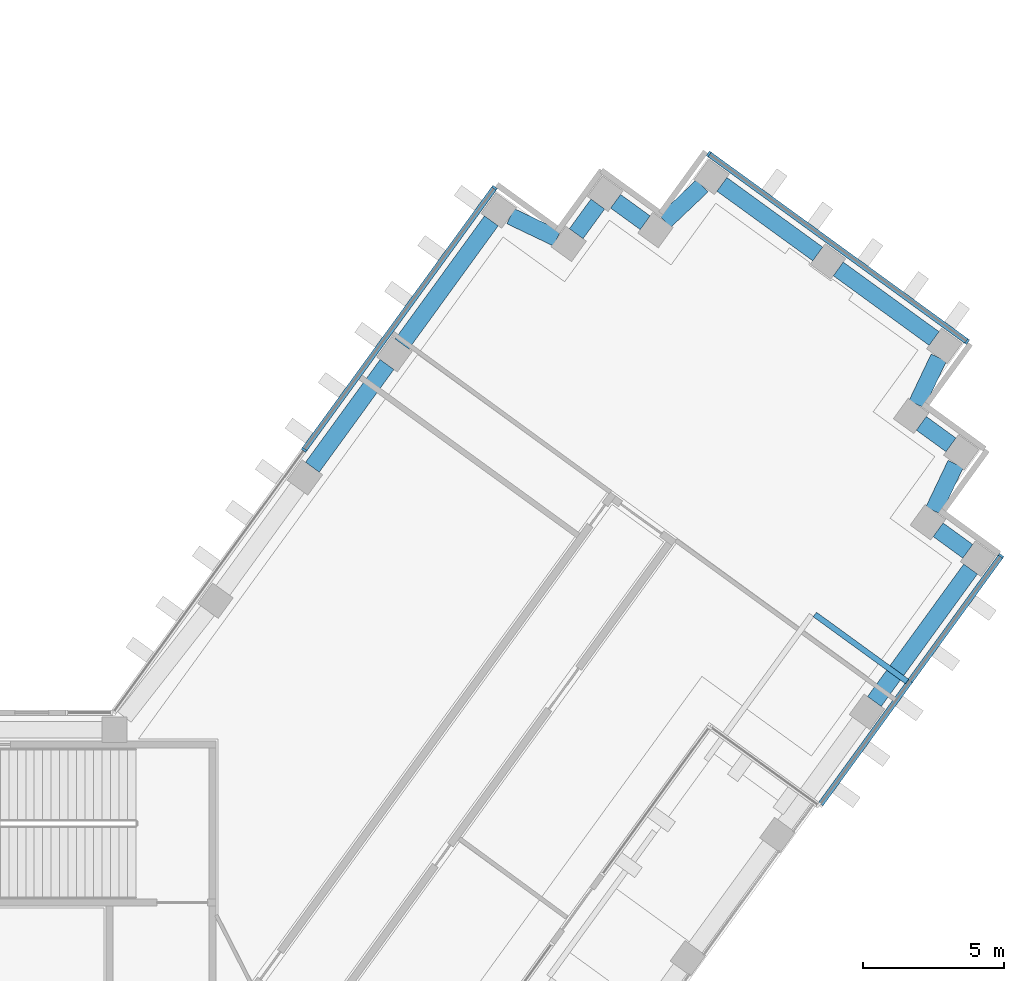
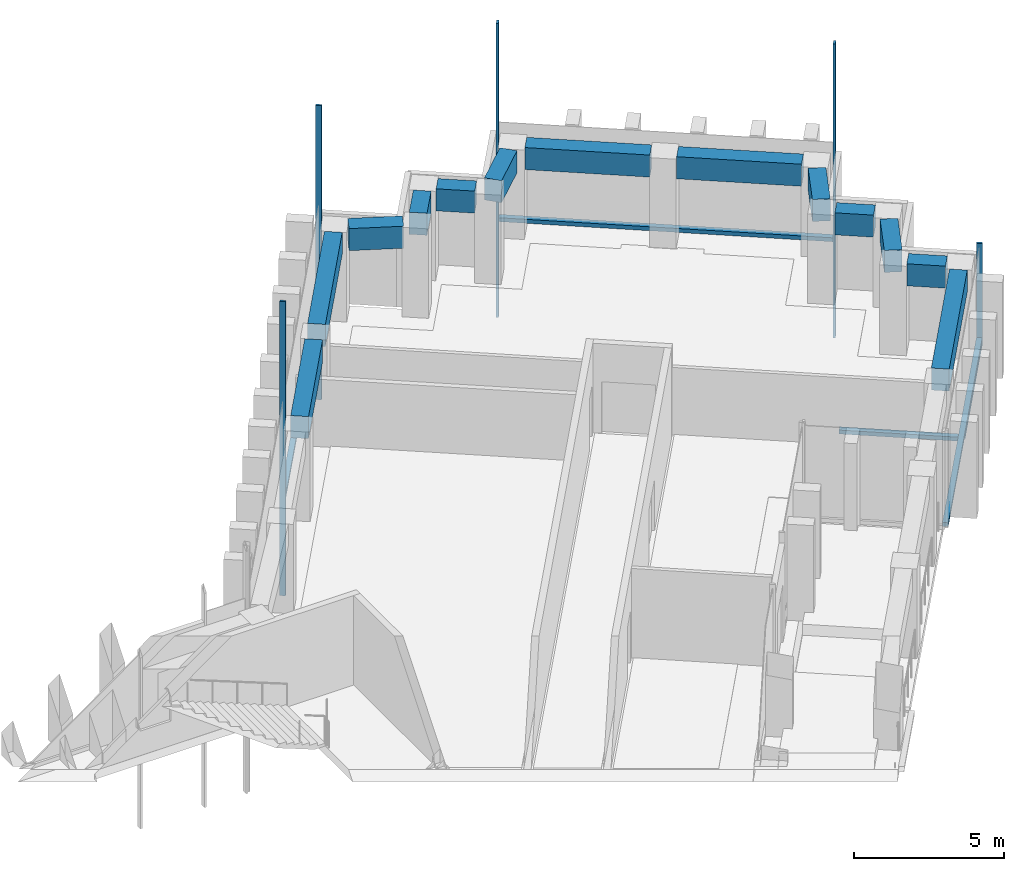
"""IFC4 building model written with IfcOpenShell, lengths in metres."""

import ifcopenshell
import ifcopenshell.guid

model = None  # the IFC model being written
_history = None  # IfcOwnerHistory: only IFC2X3 demands one
_inside = {}  # id of a spatial element -> (the spatial element, [elements in it])
_under = {}  # id of a project, library or spatial element -> (it, [spatial elements below it])
_declared = {}  # id of a project -> (the project, [libraries it declares])
_typed = {}  # id of a type object -> (the type object, [elements of that type])
_made_of = {}  # id of a material, layer set ... -> (it, [elements and type objects made of it])


def new_model(schema):
    """Start an empty IFC model of exactly this schema.

    Asked for "IFC4X3", IfcOpenShell would pick the latest addendum, in which some entities
    have other attributes; the version numbers below select the first issue.
    IFC2X3 requires an IfcOwnerHistory on every rooted entity: one is made here for all.
    """
    global model, _history
    if schema == "IFC4X3":
        model = ifcopenshell.file(schema_version=(4, 3, 0, 0))
    else:
        model = ifcopenshell.file(schema=schema)
    _inside.clear()
    _under.clear()
    _declared.clear()
    _typed.clear()
    _made_of.clear()
    _history = None
    if model.schema == "IFC2X3":
        org = make("IfcOrganization", Name="unknown")
        user = make(
            "IfcPersonAndOrganization",
            ThePerson=make("IfcPerson", FamilyName="unknown"),
            TheOrganization=org,
        )
        app = make(
            "IfcApplication",
            ApplicationDeveloper=org,
            Version="unknown",
            ApplicationFullName="unknown",
            ApplicationIdentifier="unknown",
        )
        _history = make(
            "IfcOwnerHistory",
            OwningUser=user,
            OwningApplication=app,
            ChangeAction="ADDED",
            CreationDate=0,
        )
    return model


def make(cls, **values):
    """One entity of the class cls with the attributes given. An attribute that is None is left unset."""
    return model.create_entity(
        cls, **{name: value for name, value in values.items() if value is not None}
    )


def rooted(cls, **values):
    """An entity with a GlobalId (a new one), such as an element, a storey or a relation."""
    return make(cls, GlobalId=ifcopenshell.guid.new(), OwnerHistory=_history, **values)


def si_unit(unit_type, name, prefix=None):
    """IfcSIUnit, for example si_unit("LENGTHUNIT", "METRE", prefix="MILLI")."""
    return make("IfcSIUnit", UnitType=unit_type, Prefix=prefix, Name=name)


def assignment(units):
    """IfcUnitAssignment: the units of a project."""
    return None if units is None else make("IfcUnitAssignment", Units=units)


def point(xyz):
    """IfcCartesianPoint."""
    return None if xyz is None else make("IfcCartesianPoint", Coordinates=xyz)


def direction(xyz):
    """IfcDirection."""
    return None if xyz is None else make("IfcDirection", DirectionRatios=xyz)


def frame(location, z_axis=None, x_axis=None):
    """IfcAxis2Placement3D, a coordinate frame: its origin and axes. An axis left out is left unset."""
    return make(
        "IfcAxis2Placement3D",
        Location=point(location),
        Axis=direction(z_axis),
        RefDirection=direction(x_axis),
    )


def frame_2d(location, x_axis=None):
    """IfcAxis2Placement2D, a coordinate frame in the plane: its origin and x axis."""
    return make(
        "IfcAxis2Placement2D", Location=point(location), RefDirection=direction(x_axis)
    )


def origin():
    """The frame at (0, 0, 0) with its axes left unset."""
    return frame((0.0, 0.0, 0.0))


def origin_2d():
    """The frame at (0, 0) in the plane with its x axis left unset."""
    return frame_2d((0.0, 0.0))


def place(relative_to, where):
    """IfcLocalPlacement: puts the frame where relative to a parent placement (None: the world)."""
    return make(
        "IfcLocalPlacement", PlacementRelTo=relative_to, RelativePlacement=where
    )


def context(
    kind, dimensions, precision=None, world=None, true_north=None, identifier=None
):
    """IfcGeometricRepresentationContext, for example the 3D "Model" context."""
    return make(
        "IfcGeometricRepresentationContext",
        ContextIdentifier=identifier,
        ContextType=kind,
        CoordinateSpaceDimension=dimensions,
        Precision=precision,
        WorldCoordinateSystem=world,
        TrueNorth=true_north,
    )


def subcontext(parent, identifier, kind, view, scale=None):
    """IfcGeometricRepresentationSubContext, for example "Body" below "Model"."""
    return make(
        "IfcGeometricRepresentationSubContext",
        ContextIdentifier=identifier,
        ContextType=kind,
        ParentContext=parent,
        TargetScale=scale,
        TargetView=view,
    )


def project(units=None, contexts=None):
    """IfcProject with its units and contexts."""
    return rooted(
        "IfcProject",
        Name="project",
        RepresentationContexts=contexts,
        UnitsInContext=assignment(units),
    )


def spatial(cls, under=None, at=None, **own):
    """A site, building, storey or space (cls), placed at a placement, below another one or the project."""
    s = rooted(cls, ObjectPlacement=at, **own)
    if under is not None:
        _under.setdefault(under.id(), (under, []))[1].append(s)
    return s


def profile(cls, at=None, kind="AREA", **sizes):
    """A parametric profile (cls). Its sizes go by their IFC names, for example OverallWidth=200.0."""
    return make(cls, ProfileType=kind, Position=at, **sizes)


def rectangle(**sizes):
    """IfcRectangleProfileDef."""
    return profile("IfcRectangleProfileDef", **sizes)


def extrude(swept, where, along, depth):
    """IfcExtrudedAreaSolid: the profile swept, set in the frame where, extruded along a direction by depth."""
    return make(
        "IfcExtrudedAreaSolid",
        SweptArea=swept,
        Position=where,
        ExtrudedDirection=direction(along),
        Depth=depth,
    )


def shape(context_of_items, identifier, shape_type, items):
    """IfcShapeRepresentation: the items that make up one representation, for example the "Body"."""
    return make(
        "IfcShapeRepresentation",
        ContextOfItems=context_of_items,
        RepresentationIdentifier=identifier,
        RepresentationType=shape_type,
        Items=items,
    )


def material(Name=None, Category=None):
    """IfcMaterial."""
    return make("IfcMaterial", Name=Name, Category=Category)


def material_profile(
    of_material, cross_section, Name=None, Category=None, Priority=None
):
    """IfcMaterialProfile: a cross section and its material."""
    return make(
        "IfcMaterialProfile",
        Name=Name,
        Material=of_material,
        Profile=cross_section,
        Priority=Priority,
        Category=Category,
    )


def profile_set(profiles, Name=None, composite=None):
    """IfcMaterialProfileSet."""
    return make(
        "IfcMaterialProfileSet",
        Name=Name,
        MaterialProfiles=profiles,
        CompositeProfile=composite,
    )


def made_of(thing, what):
    """Note that an element or type object is made of a material, layer set ...; save() writes the relation."""
    if what is not None:
        _made_of.setdefault(what.id(), (what, []))[1].append(thing)
    return thing


def type_object(cls, material=None, **own):
    """A type object (cls), such as IfcWallType, which elements share."""
    return made_of(rooted(cls, **own), material)


def element(
    cls,
    number,
    at=None,
    inside=None,
    cuts=None,
    type_object=None,
    material=None,
    context=None,
    identifier="Body",
    shape_type=None,
    held_by="IfcProductDefinitionShape",
    body=None,
    shapes=None,
    **own,
):
    """One element of the class cls, such as IfcWall. Its Tag is "e" and its number.

    at: its placement. inside: the storey or other place that contains it. cuts: it is an
    opening in that element (IfcRelVoidsElement). A single representation is given by context,
    identifier, shape_type and body (its items); several are given by shapes. held_by: the class
    of the entity that holds the representations. save() writes the other relations.
    """
    e = rooted(cls, Tag="e%d" % number, ObjectPlacement=at, **own)
    if body is not None:
        shapes = [shape(context, identifier, shape_type, body)]
    if shapes is not None:
        e.Representation = make(held_by, Representations=shapes)
    if inside is not None:
        _inside.setdefault(inside.id(), (inside, []))[1].append(e)
    if cuts is not None:
        rooted(
            "IfcRelVoidsElement", RelatingBuildingElement=cuts, RelatedOpeningElement=e
        )
    if type_object is not None:
        _typed.setdefault(type_object.id(), (type_object, []))[1].append(e)
    return made_of(e, material)


def aggregate(whole, parts):
    """IfcRelAggregates: a whole, such as a stair, and the parts it consists of."""
    return rooted("IfcRelAggregates", RelatingObject=whole, RelatedObjects=parts)


def save(model, path):
    """Write the relations noted so far, then the file.

    IfcRelAggregates (storeys below a building ...), IfcRelContainedInSpatialStructure (elements
    in a storey), IfcRelDefinesByType, IfcRelAssociatesMaterial and IfcRelDeclares: one each for
    every whole, place, type object, material and project.
    """
    for whole, parts in _under.values():
        aggregate(whole, parts)
    for where, things in _inside.values():
        rooted(
            "IfcRelContainedInSpatialStructure",
            RelatedElements=things,
            RelatingStructure=where,
        )
    for kind, things in _typed.values():
        rooted("IfcRelDefinesByType", RelatedObjects=things, RelatingType=kind)
    for what, things in _made_of.values():
        rooted("IfcRelAssociatesMaterial", RelatedObjects=things, RelatingMaterial=what)
    for by, libraries in _declared.values():
        rooted("IfcRelDeclares", RelatingContext=by, RelatedDefinitions=libraries)
    model.write(path)


model = new_model("IFC4")

# Units and contexts
model_context = context("Model", 3, precision=1e-05, world=origin(), true_north=direction((0.0, 1.0)))
body_context = subcontext(model_context, "Body", "Model", "MODEL_VIEW")
ifc_project = project(units=[si_unit("LENGTHUNIT", "METRE"), si_unit("AREAUNIT", "SQUARE_METRE"), si_unit("VOLUMEUNIT", "CUBIC_METRE"), si_unit("PLANEANGLEUNIT", "RADIAN"), si_unit("MASSUNIT", "GRAM", prefix="KILO")], contexts=[model_context])

# Site, building, storey
site_placement = place(None, origin())
site = spatial("IfcSite", under=ifc_project, at=site_placement, CompositionType="ELEMENT")
building_placement = place(site_placement, origin())
building = spatial("IfcBuilding", under=site, at=building_placement, Name="Quipu Civic Tower", CompositionType="ELEMENT")
storey_1_placement = place(building_placement, frame((0.0, 0.0, 101.0)))
storey_1 = spatial("IfcBuildingStorey", under=building, at=storey_1_placement, Name="L23", CompositionType="ELEMENT", Elevation=101.0)

# Curtain wall, member
ifc_material_1 = material(Name="Insulated glass unit", Category="glass")
curtain_wall_type = type_object("IfcCurtainWallType", Name="Office curtain wall CW1", PredefinedType="NOTDEFINED", material=ifc_material_1)
curtain_wall_1_placement = place(storey_1_placement, origin())
curtain_wall_1 = element("IfcCurtainWall", 1, at=curtain_wall_1_placement, inside=storey_1, type_object=curtain_wall_type, Name="Office curtain wall CW1 L23 run 7", PredefinedType="NOTDEFINED")
ifc_material_2 = material(Name="Anodised aluminium", Category="aluminium")
ifc_material_profile_1 = material_profile(ifc_material_2, rectangle(XDim=0.199951171875, YDim=0.080078125, at=origin_2d()), Name="RECT 200x80")
ifc_profile_set_1 = profile_set([ifc_material_profile_1], Name="Anodised aluminium")
member_type_1 = type_object("IfcMemberType", Name="Mullion CW1", PredefinedType="MULLION", material=ifc_profile_set_1)
member_1_placement = place(storey_1_placement, frame((45.825927734375, 16.661865234375, 0.080078125), z_axis=(0.0, 0.0, 1.0), x_axis=(-0.809015896796, 0.587786762977, 0.0)))
member_1 = element("IfcMember", 2, at=member_1_placement, type_object=member_type_1, Name="CW1 mullion 2", PredefinedType="MULLION", context=body_context, shape_type="SweptSolid", body=[
    extrude(rectangle(XDim=0.199951171875, YDim=0.080078125, at=origin_2d()), origin(), (0.0, 0.0, 1.0), 4.0),
])

# Curtain wall, members
curtain_wall_2_placement = place(storey_1_placement, origin())
curtain_wall_2 = element("IfcCurtainWall", 3, at=curtain_wall_2_placement, inside=storey_1, type_object=curtain_wall_type, Name="Office curtain wall CW1 L22 run 31", PredefinedType="NOTDEFINED")
member_2_placement = place(storey_1_placement, frame((44.62255859375, 24.260498046875, -3.919921875), z_axis=(0.0, 0.0, 1.0), x_axis=(-0.587787753918, -0.809015176832, 0.0)))
member_2 = element("IfcMember", 4, at=member_2_placement, type_object=member_type_1, Name="CW1 mullion 1", PredefinedType="MULLION", context=body_context, shape_type="SweptSolid", body=[
    extrude(rectangle(XDim=0.199951171875, YDim=0.080078125, at=origin_2d()), origin(), (0.0, 0.0, 1.0), 12.0),
])
member_3_placement = place(storey_1_placement, frame((35.46435546875, 30.914306640625, -3.919921875), z_axis=(0.0, 0.0, 1.0), x_axis=(-0.587787753918, -0.809015176832, 0.0)))
member_3 = element("IfcMember", 5, at=member_3_placement, type_object=member_type_1, Name="CW1 mullion 2", PredefinedType="MULLION", context=body_context, shape_type="SweptSolid", body=[
    extrude(rectangle(XDim=0.199951171875, YDim=0.080078125, at=origin_2d()), origin(), (0.0, 0.0, 1.0), 12.0),
])

curtain_wall_3_placement = place(storey_1_placement, origin())
curtain_wall_3 = element("IfcCurtainWall", 6, at=curtain_wall_3_placement, inside=storey_1, type_object=curtain_wall_type, Name="Office curtain wall CW1 L22 run 36", PredefinedType="NOTDEFINED")
member_4_placement = place(storey_1_placement, frame((27.865966796875, 29.7109375, -3.919921875), z_axis=(0.0, 0.0, 1.0), x_axis=(0.809014469803, -0.587788727052, 0.0)))
member_4 = element("IfcMember", 7, at=member_4_placement, type_object=member_type_1, Name="CW1 mullion 1", PredefinedType="MULLION", context=body_context, shape_type="SweptSolid", body=[
    extrude(rectangle(XDim=0.199951171875, YDim=0.080078125, at=origin_2d()), origin(), (0.0, 0.0, 1.0), 12.0),
])
member_5_placement = place(storey_1_placement, frame((21.11669921875, 20.421630859375, -3.919921875), z_axis=(0.0, 0.0, 1.0), x_axis=(0.809014469803, -0.587788727052, 0.0)))
member_5 = element("IfcMember", 8, at=member_5_placement, type_object=member_type_1, Name="CW1 mullion 2", PredefinedType="MULLION", context=body_context, shape_type="SweptSolid", body=[
    extrude(rectangle(XDim=0.199951171875, YDim=0.080078125, at=origin_2d()), origin(), (0.0, 0.0, 1.0), 12.0),
])

# Beams
ifc_material_3 = material(Name="Concrete C50/60", Category="concrete")
ifc_material_profile_2 = material_profile(ifc_material_3, rectangle(XDim=0.60009765625, YDim=0.89990234375, at=origin_2d()), Name="RC600x900")
ifc_profile_set_2 = profile_set([ifc_material_profile_2], Name="Concrete C50/60")
beam_type = type_object("IfcBeamType", Name="Spandrel beam RC 600x900 C50/60", PredefinedType="SPANDREL", material=ifc_profile_set_2)
beam_1_placement = place(storey_1_placement, frame((41.3349609375, 11.50146484375, 3.199951171875), z_axis=(0.587766353983, 0.809030724463, 0.0), x_axis=(-0.809030724463, 0.587766353983, 0.0)))
element("IfcBeam", 9, at=beam_1_placement, inside=storey_1, type_object=beam_type, Name="Spandrel beam L23 E-OUT-04 to T-Eo.0-E34", PredefinedType="SPANDREL", context=body_context, shape_type="SweptSolid", body=[
    extrude(rectangle(XDim=0.60009765625, YDim=0.89990234375, at=origin_2d()), origin(), (0.0, 0.0, 1.0), 5.802734375),
])
beam_2_placement = place(storey_1_placement, frame((44.646240234375, 16.82470703125, 3.199951171875), z_axis=(-0.808524921146, 0.588461937499, 0.0), x_axis=(-0.588461937499, -0.808524921146, 0.0)))
element("IfcBeam", 10, at=beam_2_placement, inside=storey_1, type_object=beam_type, Name="Spandrel beam L23 T-Eo.0-E34 to T-Eo.1-E34", PredefinedType="SPANDREL", context=body_context, shape_type="SweptSolid", body=[
    extrude(rectangle(XDim=0.60009765625, YDim=0.89990234375, at=origin_2d()), origin(), (0.0, 0.0, 1.0), 1.30029296875),
])
beam_3_placement = place(storey_1_placement, frame((43.42822265625, 18.267578125, 3.199951171875), z_axis=(0.430677818234, 0.902505743406, 0.0), x_axis=(-0.902505743406, 0.430677818234, 0.0)))
element("IfcBeam", 11, at=beam_3_placement, inside=storey_1, type_object=beam_type, Name="Spandrel beam L23 T-Eo.1-E34 to T-Eo.2-E34", PredefinedType="SPANDREL", context=body_context, shape_type="SweptSolid", body=[
    extrude(rectangle(XDim=0.60009765625, YDim=0.89990234375, at=origin_2d()), origin(), (0.0, 0.0, 1.0), 1.833251953125),
])
beam_4_placement = place(storey_1_placement, frame((44.05078125, 20.59912109375, 3.199951171875), z_axis=(-0.809393823939, 0.587266240959, 0.0), x_axis=(-0.587266240959, -0.809393823939, 0.0)))
element("IfcBeam", 12, at=beam_4_placement, inside=storey_1, type_object=beam_type, Name="Spandrel beam L23 T-Eo.2-E34 to T-Eo.3-E34", PredefinedType="SPANDREL", context=body_context, shape_type="SweptSolid", body=[
    extrude(rectangle(XDim=0.60009765625, YDim=0.89990234375, at=origin_2d()), origin(), (0.0, 0.0, 1.0), 1.299072265625),
])
beam_5_placement = place(storey_1_placement, frame((42.83154296875, 22.03955078125, 3.199951171875), z_axis=(0.429892146977, 0.902880247856, 0.0), x_axis=(-0.902880247856, 0.429892146977, 0.0)))
element("IfcBeam", 13, at=beam_5_placement, inside=storey_1, type_object=beam_type, Name="Spandrel beam L23 T-Eo.3-E34 to T-Eo.4-E34", PredefinedType="SPANDREL", context=body_context, shape_type="SweptSolid", body=[
    extrude(rectangle(XDim=0.60009765625, YDim=0.89990234375, at=origin_2d()), origin(), (0.0, 0.0, 1.0), 1.829833984375),
])
beam_6_placement = place(storey_1_placement, frame((43.450927734375, 24.36962890625, 3.199951171875), z_axis=(-0.808987489375, 0.587825860298, 0.0), x_axis=(-0.587825860298, -0.808987489375, 0.0)))
element("IfcBeam", 14, at=beam_6_placement, inside=storey_1, type_object=beam_type, Name="Spandrel beam L23 T-Eo.4-E34 to TIP-E-01-E34", PredefinedType="SPANDREL", context=body_context, shape_type="SweptSolid", body=[
    extrude(rectangle(XDim=0.60009765625, YDim=0.89990234375, at=origin_2d()), origin(), (0.0, 0.0, 1.0), 4.1982421875),
])
beam_7_placement = place(storey_1_placement, frame((39.32666015625, 27.366455078125, 3.199951171875), z_axis=(-0.808969789945, 0.58785021813, 0.0), x_axis=(-0.58785021813, -0.808969789945, 0.0)))
element("IfcBeam", 15, at=beam_7_placement, inside=storey_1, type_object=beam_type, Name="Spandrel beam L23 TIP-E-01-E34 to T-Ei.0-E34", PredefinedType="SPANDREL", context=body_context, shape_type="SweptSolid", body=[
    extrude(rectangle(XDim=0.60009765625, YDim=0.89990234375, at=origin_2d()), origin(), (0.0, 0.0, 1.0), 4.199951171875),
])
beam_8_placement = place(storey_1_placement, frame((35.233154296875, 29.784912109375, 3.199951171875), z_axis=(-0.725209203815, -0.688528583795, 0.0), x_axis=(0.688528583795, -0.725209203815, 0.0)))
element("IfcBeam", 16, at=beam_8_placement, inside=storey_1, type_object=beam_type, Name="Spandrel beam L23 T-Ei.0-E34 to T-Ei.1-E34", PredefinedType="SPANDREL", context=body_context, shape_type="SweptSolid", body=[
    extrude(rectangle(XDim=0.60009765625, YDim=0.89990234375, at=origin_2d()), origin(), (0.0, 0.0, 1.0), 1.830322265625),
])
beam_9_placement = place(storey_1_placement, frame((33.209716796875, 28.4736328125, 3.199951171875), z_axis=(-0.809402563526, 0.587254195521, 0.0), x_axis=(-0.587254195521, -0.809402563526, 0.0)))
element("IfcBeam", 17, at=beam_9_placement, inside=storey_1, type_object=beam_type, Name="Spandrel beam L23 T-Ei.1-E34 to T-Ei.2-E34", PredefinedType="SPANDREL", context=body_context, shape_type="SweptSolid", body=[
    extrude(rectangle(XDim=0.60009765625, YDim=0.89990234375, at=origin_2d()), origin(), (0.0, 0.0, 1.0), 1.2978515625),
])
beam_10_placement = place(storey_1_placement, frame((31.52978515625, 29.136474609375, 3.199951171875), z_axis=(-0.589187485143, -0.80799635355, 0.0), x_axis=(0.80799635355, -0.589187485143, 0.0)))
element("IfcBeam", 18, at=beam_10_placement, inside=storey_1, type_object=beam_type, Name="Spandrel beam L23 T-Ei.2-E34 to T-Ei.3-E34", PredefinedType="SPANDREL", context=body_context, shape_type="SweptSolid", body=[
    extrude(rectangle(XDim=0.60009765625, YDim=0.89990234375, at=origin_2d()), origin(), (0.0, 0.0, 1.0), 1.2998046875),
])
beam_11_placement = place(storey_1_placement, frame((30.085693359375, 27.919677734375, 3.199951171875), z_axis=(-0.902567013751, 0.430549399823, 0.0), x_axis=(-0.430549399823, -0.902567013751, 0.0)))
element("IfcBeam", 19, at=beam_11_placement, inside=storey_1, type_object=beam_type, Name="Spandrel beam L23 T-Ei.3-E34 to T-Ei.4-E34", PredefinedType="SPANDREL", context=body_context, shape_type="SweptSolid", body=[
    extrude(rectangle(XDim=0.60009765625, YDim=0.89990234375, at=origin_2d()), origin(), (0.0, 0.0, 1.0), 1.8310546875),
])
beam_12_placement = place(storey_1_placement, frame((27.755615234375, 28.541015625, 3.199951171875), z_axis=(-0.58767640123, -0.809096068114, 0.0), x_axis=(0.809096068114, -0.58767640123, 0.0)))
element("IfcBeam", 20, at=beam_12_placement, inside=storey_1, type_object=beam_type, Name="Spandrel beam L23 T-Ei.4-E34 to E-IN-03", PredefinedType="SPANDREL", context=body_context, shape_type="SweptSolid", body=[
    extrude(rectangle(XDim=0.60009765625, YDim=0.89990234375, at=origin_2d()), origin(), (0.0, 0.0, 1.0), 5.39404296875),
])
beam_13_placement = place(storey_1_placement, frame((24.056884765625, 23.448486328125, 3.199951171875), z_axis=(-0.587778073121, -0.809022210299, 0.0), x_axis=(0.809022210299, -0.587778073121, 0.0)))
element("IfcBeam", 21, at=beam_13_placement, inside=storey_1, type_object=beam_type, Name="Spandrel beam L23 E-IN-03 to E-IN-02", PredefinedType="SPANDREL", context=body_context, shape_type="SweptSolid", body=[
    extrude(rectangle(XDim=0.60009765625, YDim=0.89990234375, at=origin_2d()), origin(), (0.0, 0.0, 1.0), 4.5),
])

# Storey
storey_2_placement = place(building_placement, frame((0.0, 0.0, 97.0)))
storey_2 = spatial("IfcBuildingStorey", under=building, at=storey_2_placement, Name="L22", CompositionType="ELEMENT", Elevation=97.0)

# Curtain wall, member
curtain_wall_4_placement = place(storey_2_placement, origin())
curtain_wall_4 = element("IfcCurtainWall", 22, at=curtain_wall_4_placement, inside=storey_2, type_object=curtain_wall_type, Name="Office curtain wall CW1 L22 run 6", PredefinedType="NOTDEFINED")
ifc_material_4 = material(Name="Anodised aluminium", Category="aluminium")
ifc_material_profile_3 = material_profile(ifc_material_4, rectangle(XDim=0.199951171875, YDim=0.159912109375, at=origin_2d()), Name="RECT 200x160")
ifc_profile_set_3 = profile_set([ifc_material_profile_3], Name="Anodised aluminium")
member_type_2 = type_object("IfcMemberType", Name="Transom CW1", PredefinedType="USERDEFINED", material=ifc_profile_set_3)
member_6_placement = place(storey_1_placement, frame((39.224609375, 14.585693359375, 0.0), z_axis=(0.809015596824, -0.587787175852, 0.0), x_axis=(0.587787175852, 0.809015596824, 0.0)))
member_6 = element("IfcMember", 23, at=member_6_placement, inside=storey_1, type_object=member_type_2, Name="CW1 transom 1.2", ObjectType="TRANSOM", PredefinedType="USERDEFINED", context=body_context, shape_type="SweptSolid", body=[
    extrude(rectangle(XDim=0.199951171875, YDim=0.159912109375, at=origin_2d()), origin(), (0.0, 0.0, 1.0), 4.040283203125),
])
aggregate(curtain_wall_4, [member_6])

curtain_wall_5_placement = place(storey_2_placement, origin())
curtain_wall_5 = element("IfcCurtainWall", 24, at=curtain_wall_5_placement, inside=storey_2, type_object=curtain_wall_type, Name="Office curtain wall CW1 L22 run 7", PredefinedType="NOTDEFINED")
member_7_placement = place(storey_1_placement, frame((42.60498046875, 12.228515625, 0.0), z_axis=(0.587774027131, 0.809025149813, 0.0), x_axis=(-0.809025149813, 0.587774027131, 0.0)))
member_7 = element("IfcMember", 25, at=member_7_placement, inside=storey_1, type_object=member_type_2, Name="CW1 transom 1.2", ObjectType="TRANSOM", PredefinedType="USERDEFINED", context=body_context, shape_type="SweptSolid", body=[
    extrude(rectangle(XDim=0.199951171875, YDim=0.159912109375, at=origin_2d()), origin(), (0.0, 0.0, 1.0), 5.43994140625),
])
aggregate(curtain_wall_5, [member_7])

# Member
member_8_placement = place(storey_1_placement, frame((39.430908203125, 7.85986328125, 0.159912109375), z_axis=(0.587783274816, 0.809018431092, 0.0), x_axis=(-0.809018431092, 0.587783274816, 0.0)))
member_8 = element("IfcMember", 26, at=member_8_placement, type_object=member_type_2, Name="CW1 transom 1.1", ObjectType="TRANSOM", PredefinedType="USERDEFINED", context=body_context, shape_type="SweptSolid", body=[
    extrude(rectangle(XDim=0.199951171875, YDim=0.159912109375, at=origin_2d()), origin(), (0.0, 0.0, 1.0), 10.840087890625),
])

aggregate(curtain_wall_1, [member_1, member_8])

member_9_placement = place(storey_1_placement, frame((44.590087890625, 24.2841796875, 0.080078125), z_axis=(-0.809014959561, 0.587788052963, 0.0), x_axis=(-0.587788052963, -0.809014959561, 0.0)))
member_9 = element("IfcMember", 27, at=member_9_placement, type_object=member_type_2, Name="CW1 transom 1.2", ObjectType="TRANSOM", PredefinedType="USERDEFINED", context=body_context, shape_type="SweptSolid", body=[
    extrude(rectangle(XDim=0.199951171875, YDim=0.159912109375, at=origin_2d()), origin(), (0.0, 0.0, 1.0), 11.239990234375),
])

aggregate(curtain_wall_2, [member_2, member_3, member_9])

member_10_placement = place(storey_1_placement, frame((27.84228515625, 29.678466796875, 0.080078125), z_axis=(-0.587775682251, -0.809023947331, 0.0), x_axis=(0.809023947331, -0.587775682251, 0.0)))
member_10 = element("IfcMember", 28, at=member_10_placement, type_object=member_type_2, Name="CW1 transom 1.2", ObjectType="TRANSOM", PredefinedType="USERDEFINED", context=body_context, shape_type="SweptSolid", body=[
    extrude(rectangle(XDim=0.199951171875, YDim=0.159912109375, at=origin_2d()), origin(), (0.0, 0.0, 1.0), 11.402099609375),
])

aggregate(curtain_wall_3, [member_4, member_5, member_10])

save(model, "model.ifc")
